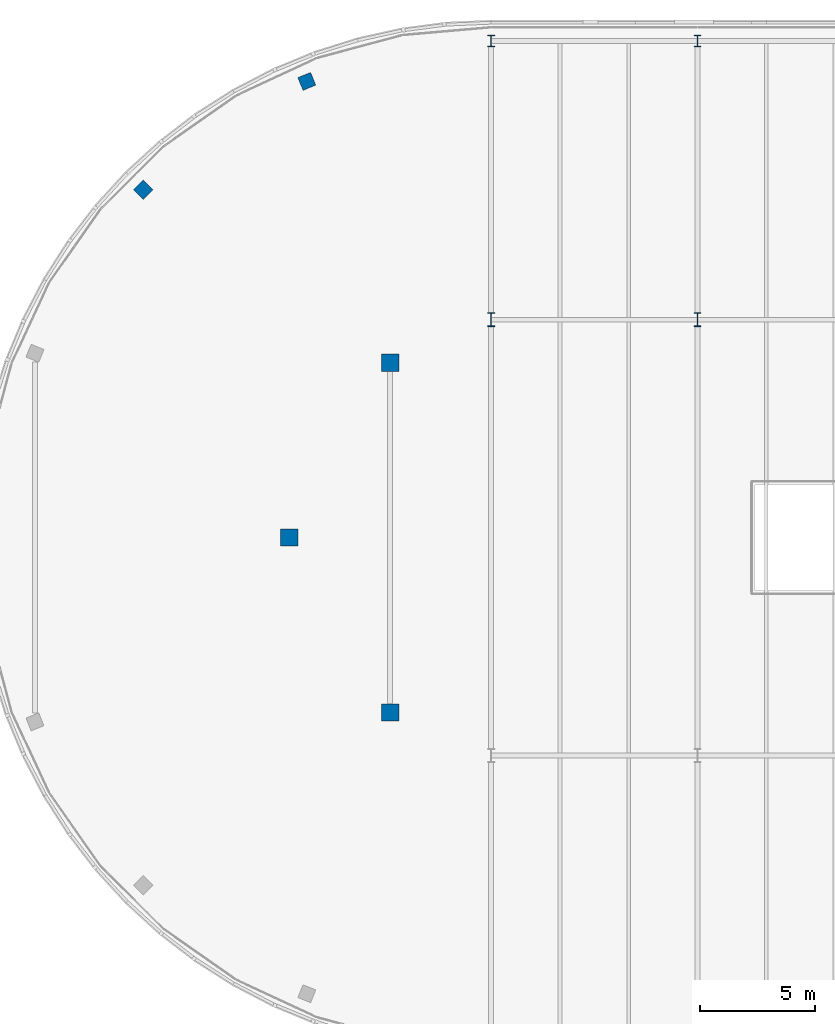
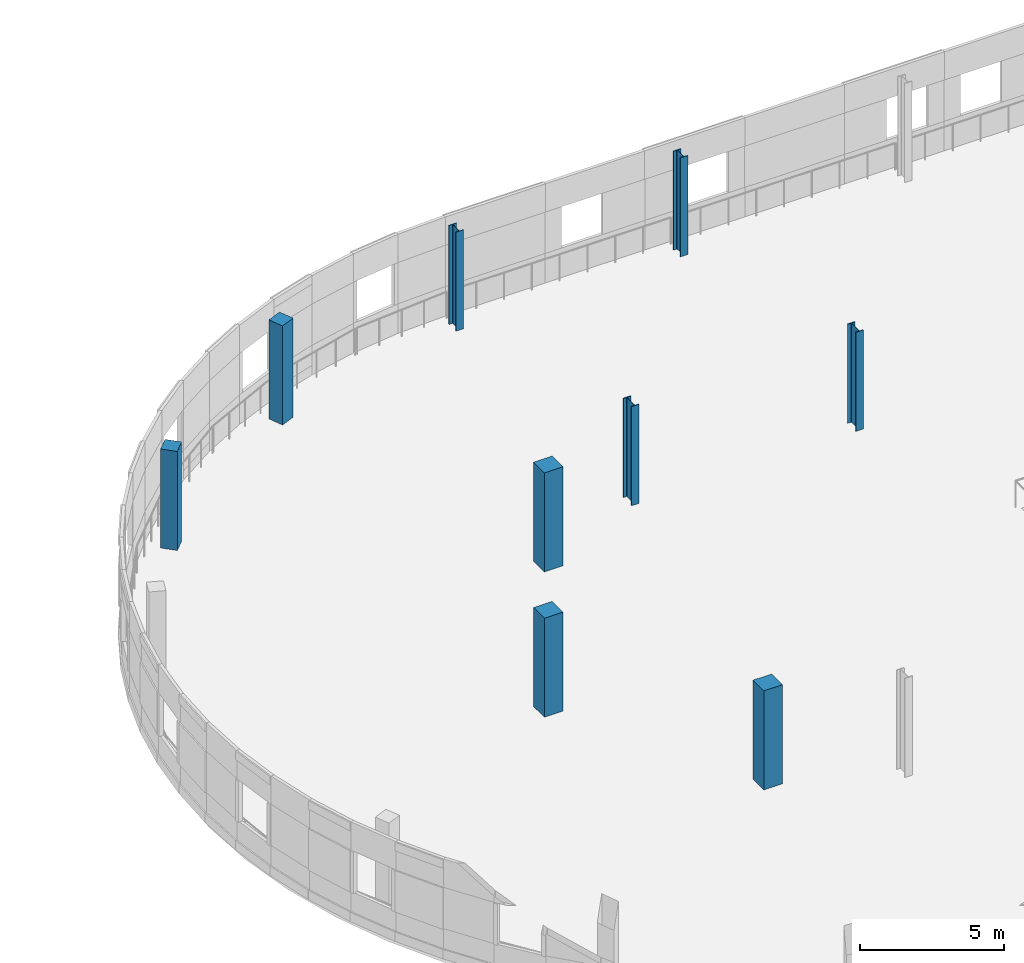
# One storey, part 5 of 103: 9 columns.
"""IFC4 building model written with IfcOpenShell, lengths in metres."""

from ifc_helpers import new_model, si_unit, direction, frame, origin, origin_2d, place, context, subcontext, project, spatial, rectangle, i_section, extrude, material, material_profile, profile_set, type_object, element, save


model = new_model("IFC4")

# Units and contexts
model_context = context("Model", 3, precision=1e-05, world=origin(), true_north=direction((0.0, 1.0)))
body_context = subcontext(model_context, "Body", "Model", "MODEL_VIEW")
ifc_project = project(units=[si_unit("LENGTHUNIT", "METRE"), si_unit("AREAUNIT", "SQUARE_METRE"), si_unit("VOLUMEUNIT", "CUBIC_METRE"), si_unit("PLANEANGLEUNIT", "RADIAN"), si_unit("MASSUNIT", "GRAM", prefix="KILO")], contexts=[model_context])

# Site, building, storey
site_placement = place(None, origin())
site = spatial("IfcSite", under=ifc_project, at=site_placement, CompositionType="ELEMENT")
building_placement = place(site_placement, origin())
building = spatial("IfcBuilding", under=site, at=building_placement, Name="Deido Ridge Mobility Hub", CompositionType="ELEMENT")
storey_placement = place(building_placement, frame((0.0, 0.0, 12.60009765625)))
storey = spatial("IfcBuildingStorey", under=building, at=storey_placement, Name="L03", CompositionType="ELEMENT", Elevation=12.60009765625)

# Columns
ifc_material_1 = material(Name="Steel S355J2 EN 10025-2", Category="steel")
ifc_material_profile_1 = material_profile(ifc_material_1, i_section(OverallWidth=0.300048828125, OverallDepth=0.5, WebThickness=0.014404296875, FlangeThickness=0.028076171875, FilletRadius=0.027099609375, at=origin_2d()), Name="HEB 500")
ifc_profile_set_1 = profile_set([ifc_material_profile_1], Name="Steel S355J2 EN 10025-2")
column_type_1 = type_object("IfcColumnType", Name="COL-HEB500", PredefinedType="COLUMN", material=ifc_profile_set_1)
for number, where, z_axis, x_axis, name in (
    (1, (45.0, 125.14990234375, 0.0), (0.0, 0.0, 1.0), (1.0, 0.0, 0.0), "Structural column C5"),
    (2, (54.0, 125.14990234375, 0.0), (0.0, 0.0, 1.0), (1.0, 0.0, 0.0), "Structural column C5"),
):
    element("IfcColumn", number, at=place(storey_placement, frame(where, z_axis=z_axis, x_axis=x_axis)), inside=storey, type_object=column_type_1, Name=name, PredefinedType="COLUMN", context=body_context, shape_type="SweptSolid", body=[
        extrude(i_section(OverallWidth=0.300048828125, OverallDepth=0.5, WebThickness=0.014404296875, FlangeThickness=0.028076171875, FilletRadius=0.027099609375, at=origin_2d()), origin(), (0.0, 0.0, 1.0), 4.199951171875),
    ])
ifc_material_profile_2 = material_profile(ifc_material_1, i_section(OverallWidth=0.300048828125, OverallDepth=0.60009765625, WebThickness=0.015380859375, FlangeThickness=0.030029296875, FilletRadius=0.027099609375, at=origin_2d()), Name="HEB 600")
ifc_profile_set_2 = profile_set([ifc_material_profile_2], Name="Steel S355J2 EN 10025-2")
column_type_2 = type_object("IfcColumnType", Name="COL-HEB600", PredefinedType="COLUMN", material=ifc_profile_set_2)
for number, where, z_axis, x_axis, name in (
    (3, (45.0, 113.0, 0.0), (0.0, 0.0, 1.0), (1.0, 0.0, 0.0), "Structural column C4"),
    (4, (54.0, 113.0, 0.0), (0.0, 0.0, 1.0), (1.0, 0.0, 0.0), "Structural column C4"),
):
    element("IfcColumn", number, at=place(storey_placement, frame(where, z_axis=z_axis, x_axis=x_axis)), inside=storey, type_object=column_type_2, Name=name, PredefinedType="COLUMN", context=body_context, shape_type="SweptSolid", body=[
        extrude(i_section(OverallWidth=0.300048828125, OverallDepth=0.60009765625, WebThickness=0.015380859375, FlangeThickness=0.030029296875, FilletRadius=0.027099609375, at=origin_2d()), origin(), (0.0, 0.0, 1.0), 4.199951171875),
    ])
ifc_material_2 = material(Name="Concrete C40/50", Category="concrete")
ifc_material_profile_3 = material_profile(ifc_material_2, rectangle(XDim=0.60009765625, YDim=0.60009765625, at=origin_2d()), Name="RC COL 600x600")
ifc_profile_set_3 = profile_set([ifc_material_profile_3], Name="Concrete C40/50")
column_type_3 = type_object("IfcColumnType", Name="COL-RC600", PredefinedType="COLUMN", material=ifc_profile_set_3)
for number, where, z_axis, x_axis, name in (
    (5, (36.964599609375, 123.38818359375, 0.0), (0.0, 0.0, 1.0), (-0.374606593416, 0.927183854567, 0.0), "Structural column RC2"),
    (6, (29.83251953125, 118.66748046875, 0.0), (0.0, 0.0, 1.0), (-0.707106781187, 0.707106781187, 0.0), "Structural column RC2"),
):
    element("IfcColumn", number, at=place(storey_placement, frame(where, z_axis=z_axis, x_axis=x_axis)), inside=storey, type_object=column_type_3, Name=name, PredefinedType="COLUMN", context=body_context, shape_type="SweptSolid", body=[
        extrude(rectangle(XDim=0.60009765625, YDim=0.60009765625, at=origin_2d()), origin(), (0.0, 0.0, 1.0), 4.199951171875),
    ])
ifc_material_profile_4 = material_profile(ifc_material_2, rectangle(XDim=0.75, YDim=0.75, at=origin_2d()), Name="RC COL 750x750")
ifc_profile_set_4 = profile_set([ifc_material_profile_4], Name="Concrete C40/50")
column_type_4 = type_object("IfcColumnType", Name="COL-RC750", PredefinedType="COLUMN", material=ifc_profile_set_4)
for number, where, z_axis, x_axis, name in (
    (7, (40.60009765625, 111.12109375, 0.0), (0.0, 0.0, 1.0), (1.0, 0.0, 0.0), "Structural column RC1"),
    (8, (36.199951171875, 103.5, 0.0), (0.0, 0.0, 1.0), (1.0, 0.0, 0.0), "Structural column RC1"),
    (9, (40.60009765625, 95.87890625, 0.0), (0.0, 0.0, 1.0), (1.0, 0.0, 0.0), "Structural column RC1"),
):
    element("IfcColumn", number, at=place(storey_placement, frame(where, z_axis=z_axis, x_axis=x_axis)), inside=storey, type_object=column_type_4, Name=name, PredefinedType="COLUMN", context=body_context, shape_type="SweptSolid", body=[
        extrude(rectangle(XDim=0.75, YDim=0.75, at=origin_2d()), origin(), (0.0, 0.0, 1.0), 4.199951171875),
    ])

save(model, "model.ifc")
